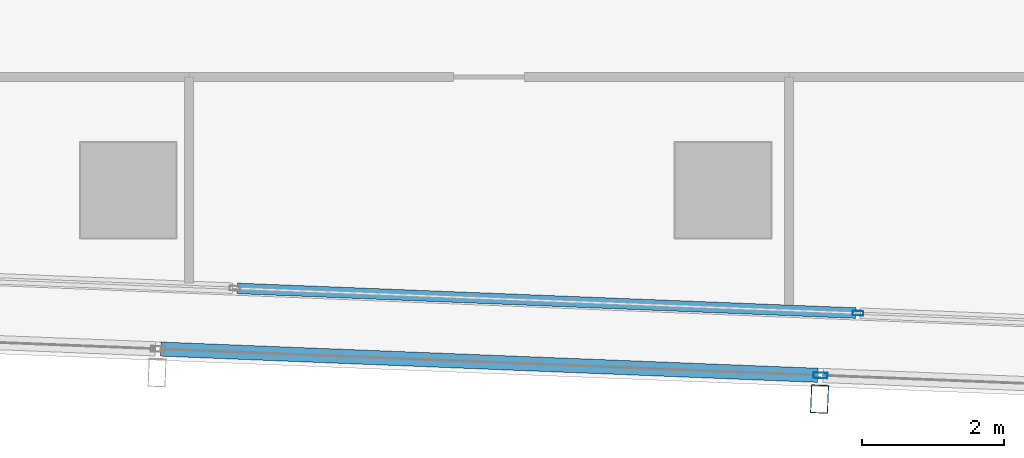
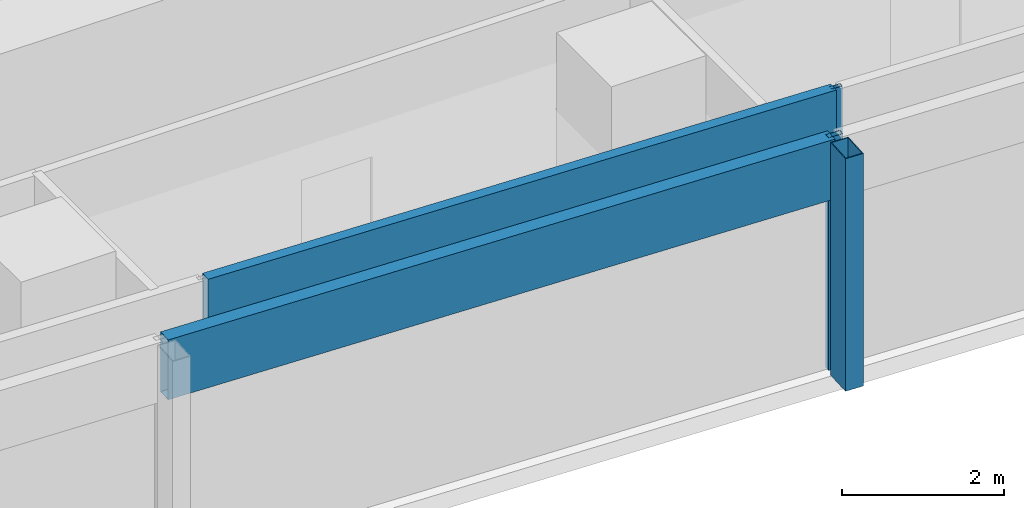
# One storey, part 7 of 39: 5 members, 2 elements without a shape of their own.
"""IFC4 building model written with IfcOpenShell, lengths in metres."""

from ifc_helpers import new_model, si_unit, direction, frame, origin, origin_2d, place, context, subcontext, project, spatial, hollow_rectangle, extrude, material, material_profile, profile_set, type_object, element, aggregate, save


model = new_model("IFC4")

# Units and contexts
model_context = context("Model", 3, precision=1e-05, world=origin(), true_north=direction((0.0, 1.0)))
body_context = subcontext(model_context, "Body", "Model", "MODEL_VIEW")
ifc_project = project(units=[si_unit("LENGTHUNIT", "METRE"), si_unit("AREAUNIT", "SQUARE_METRE"), si_unit("VOLUMEUNIT", "CUBIC_METRE"), si_unit("PLANEANGLEUNIT", "RADIAN"), si_unit("MASSUNIT", "GRAM", prefix="KILO")], contexts=[model_context])

# Site, building, storey
site_placement = place(None, origin())
site = spatial("IfcSite", under=ifc_project, at=site_placement, CompositionType="ELEMENT")
building_placement = place(site_placement, origin())
building = spatial("IfcBuilding", under=site, at=building_placement, Name="Rekha Terrace Tower", CompositionType="ELEMENT")
storey_placement = place(building_placement, frame((0.0, 0.0, 187.699951171875)))
storey = spatial("IfcBuildingStorey", under=building, at=storey_placement, Name="L47", CompositionType="ELEMENT", Elevation=187.699951171875)

# Curtain wall, member
ifc_material_1 = material(Name="Aluminium framing", Category="aluminium")
curtain_wall_type_1 = type_object("IfcCurtainWallType", Name="CW2 double skin outer glazing", PredefinedType="USERDEFINED", material=ifc_material_1)
curtain_wall_1_placement = place(storey_placement, origin())
curtain_wall_1 = element("IfcCurtainWall", 1, at=curtain_wall_1_placement, inside=storey, type_object=curtain_wall_type_1, Name="CW2 double skin outer glazing", ObjectType="DOUBLE SKIN OUTER GLAZING", PredefinedType="USERDEFINED")
ifc_material_2 = material(Name="Steel S355 with fluorocarbon finish", Category="steel")
ifc_material_profile_1 = material_profile(ifc_material_2, hollow_rectangle(XDim=0.25, YDim=0.39990234375, WallThickness=0.012451171875, at=origin_2d()), Name="RHS400x250x12.5")
ifc_profile_set_1 = profile_set([ifc_material_profile_1], Name="Steel S355 with fluorocarbon finish")
member_type_1 = type_object("IfcMemberType", Name="BL1 facade blade RHS 400 x 250", PredefinedType="USERDEFINED", material=ifc_profile_set_1)
member_1_placement = place(storey_placement, frame((34.9638671875, 13.84912109375, 0.0), z_axis=(0.0, 0.0, 1.0), x_axis=(0.999204797763, -0.039871946621, 0.0)))
member_1 = element("IfcMember", 2, at=member_1_placement, type_object=member_type_1, Name="Facade blade", ObjectType="FACADE BLADE", PredefinedType="USERDEFINED", context=body_context, shape_type="SweptSolid", body=[
    extrude(hollow_rectangle(XDim=0.25, YDim=0.39990234375, WallThickness=0.012451171875, at=origin_2d()), origin(), (0.0, 0.0, 1.0), 3.5),
])

# Curtain wall, members
curtain_wall_type_2 = type_object("IfcCurtainWallType", Name="CW1 double skin inner glazing", PredefinedType="USERDEFINED", material=ifc_material_1)
curtain_wall_2_placement = place(storey_placement, origin())
curtain_wall_2 = element("IfcCurtainWall", 3, at=curtain_wall_2_placement, inside=storey, type_object=curtain_wall_type_2, Name="CW1 double skin inner glazing", ObjectType="DOUBLE SKIN INNER GLAZING", PredefinedType="USERDEFINED")
ifc_material_3 = material(Name="Aluminium mullion section", Category="aluminium")
ifc_material_profile_2 = material_profile(ifc_material_3, hollow_rectangle(XDim=0.06494140625, YDim=0.14990234375, WallThickness=0.00390625, at=origin_2d()), Name="AL RHS 65x150")
ifc_profile_set_2 = profile_set([ifc_material_profile_2], Name="Aluminium mullion section")
member_type_2 = type_object("IfcMemberType", Name="CW1 mullion RHS 65 x 150", PredefinedType="MULLION", material=ifc_profile_set_2)
member_2_placement = place(storey_placement, frame((35.507568359375, 15.063232421875, 0.0), z_axis=(0.0, 0.0, 1.0), x_axis=(0.039872497061, 0.999204775798, 0.0)))
member_2 = element("IfcMember", 4, at=member_2_placement, type_object=member_type_2, Name="CW1 mullion 4", PredefinedType="MULLION", context=body_context, shape_type="SweptSolid", body=[
    extrude(hollow_rectangle(XDim=0.06494140625, YDim=0.14990234375, WallThickness=0.00390625, at=origin_2d()), origin(), (0.0, 0.0, 1.0), 3.5),
])
ifc_material_4 = material(Name="Insulated aluminium spandrel box", Category="aluminium")
ifc_material_profile_3 = material_profile(ifc_material_4, hollow_rectangle(XDim=0.14990234375, YDim=0.89990234375, WallThickness=0.0029296875, at=origin_2d()), Name="AL SPANDREL BOX 150x900")
ifc_profile_set_3 = profile_set([ifc_material_profile_3], Name="Insulated aluminium spandrel box")
member_type_3 = type_object("IfcMemberType", Name="CW1 spandrel transom 150 x 900", PredefinedType="USERDEFINED", material=ifc_profile_set_3)
member_3_placement = place(storey_placement, frame((26.73583984375, 15.413330078125, 3.050048828125), z_axis=(0.999205233714, -0.039861020051, 0.0), x_axis=(0.039861020051, 0.999205233714, 0.0)))
member_3 = element("IfcMember", 5, at=member_3_placement, type_object=member_type_3, Name="CW1 spandrel transom 3", ObjectType="TRANSOM", PredefinedType="USERDEFINED", context=body_context, shape_type="SweptSolid", body=[
    extrude(hollow_rectangle(XDim=0.14990234375, YDim=0.89990234375, WallThickness=0.0029296875, at=origin_2d()), origin(), (0.0, 0.0, 1.0), 8.74609375),
])
aggregate(curtain_wall_2, [member_2, member_3])

# Member
ifc_material_profile_4 = material_profile(ifc_material_3, hollow_rectangle(XDim=0.080078125, YDim=0.199951171875, WallThickness=0.00390625, at=origin_2d()), Name="AL RHS 80x200")
ifc_profile_set_4 = profile_set([ifc_material_profile_4], Name="Aluminium mullion section")
member_type_4 = type_object("IfcMemberType", Name="CW2 mullion RHS 80 x 200", PredefinedType="MULLION", material=ifc_profile_set_4)
member_4_placement = place(storey_placement, frame((34.97705078125, 14.183837890625, 0.0), z_axis=(0.0, 0.0, 1.0), x_axis=(0.039872497044, 0.999204775799, 0.0)))
member_4 = element("IfcMember", 6, at=member_4_placement, type_object=member_type_4, Name="CW2 mullion 4", PredefinedType="MULLION", context=body_context, shape_type="SweptSolid", body=[
    extrude(hollow_rectangle(XDim=0.080078125, YDim=0.199951171875, WallThickness=0.00390625, at=origin_2d()), origin(), (0.0, 0.0, 1.0), 3.5),
])

ifc_material_profile_5 = material_profile(ifc_material_4, hollow_rectangle(XDim=0.199951171875, YDim=0.89990234375, WallThickness=0.0029296875, at=origin_2d()), Name="AL SPANDREL BOX 200x900")
ifc_profile_set_5 = profile_set([ifc_material_profile_5], Name="Insulated aluminium spandrel box")
member_type_5 = type_object("IfcMemberType", Name="CW2 spandrel transom 200 x 900", PredefinedType="USERDEFINED", material=ifc_profile_set_5)
member_5_placement = place(storey_placement, frame((25.658447265625, 14.5556640625, 3.050048828125), z_axis=(0.999204356934, -0.039882992408, 0.0), x_axis=(0.039882992408, 0.999204356934, 0.0)))
member_5 = element("IfcMember", 7, at=member_5_placement, type_object=member_type_5, Name="CW2 spandrel transom 3", ObjectType="TRANSOM", PredefinedType="USERDEFINED", context=body_context, shape_type="SweptSolid", body=[
    extrude(hollow_rectangle(XDim=0.199951171875, YDim=0.89990234375, WallThickness=0.0029296875, at=origin_2d()), origin(), (0.0, 0.0, 1.0), 9.2861328125),
])

aggregate(curtain_wall_1, [member_4, member_5, member_1])

save(model, "model.ifc")
